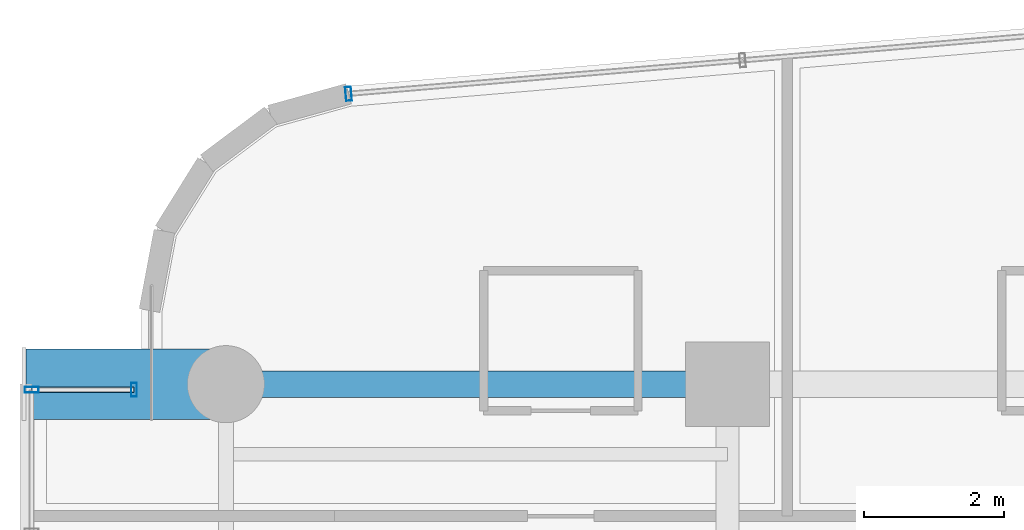
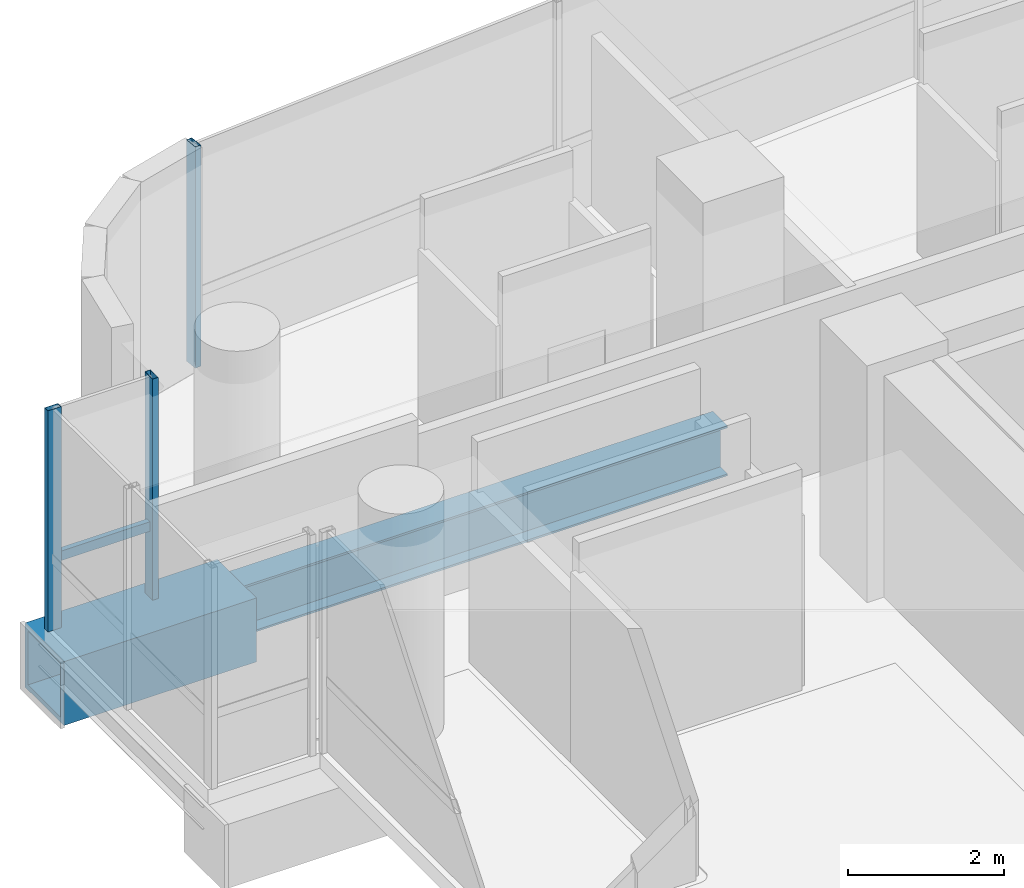
# One storey, part 19 of 35: 4 members, 2 beams, 3 elements without a shape of their own.
"""IFC4 building model written with IfcOpenShell, lengths in metres."""

from ifc_helpers import new_model, si_unit, direction, frame, origin, origin_2d, place, context, subcontext, project, spatial, hollow_rectangle, i_section, extrude, source, transform, mapped, material, material_profile, profile_set, type_object, element, aggregate, save


model = new_model("IFC4")

# Units and contexts
model_context = context("Model", 3, precision=1e-05, world=origin(), true_north=direction((0.0, 1.0)))
body_context = subcontext(model_context, "Body", "Model", "MODEL_VIEW")
ifc_project = project(units=[si_unit("LENGTHUNIT", "METRE"), si_unit("AREAUNIT", "SQUARE_METRE"), si_unit("VOLUMEUNIT", "CUBIC_METRE"), si_unit("PLANEANGLEUNIT", "RADIAN"), si_unit("MASSUNIT", "GRAM", prefix="KILO")], contexts=[model_context])

# Site, building, storey
site_placement = place(None, origin())
site = spatial("IfcSite", under=ifc_project, at=site_placement, CompositionType="ELEMENT")
building_placement = place(site_placement, origin())
building = spatial("IfcBuilding", under=site, at=building_placement, Name="Valdorenza Pilgrim Sanctuary Tower", CompositionType="ELEMENT")
storey_placement = place(building_placement, frame((0.0, 0.0, 116.800048828125)))
storey = spatial("IfcBuildingStorey", under=building, at=storey_placement, Name="L29", CompositionType="ELEMENT", Elevation=116.800048828125)

# Beams
ifc_material_1 = material(Name="Steel ASTM A992 Grade 50", Category="steel")
ifc_material_profile_1 = material_profile(ifc_material_1, i_section(OverallWidth=0.382080078125, OverallDepth=0.779052734375, WebThickness=0.01806640625, FlangeThickness=0.030029296875, at=origin_2d()), Name="W30X191")
ifc_profile_set_1 = profile_set([ifc_material_profile_1], Name="Steel ASTM A992 Grade 50")
beam_type_1 = type_object("IfcBeamType", Name="STR-BM-GRD-W30", PredefinedType="BEAM", material=ifc_profile_set_1)
shared_shape_1 = source(origin(), body_context, "Body", "SweptSolid", [
    extrude(i_section(OverallWidth=0.382080078125, OverallDepth=0.779052734375, WebThickness=0.01806640625, FlangeThickness=0.030029296875, at=origin_2d()), origin(), (0.0, 0.0, 1.0), 7.150146484375),
])
beam_1_placement = place(storey_placement, frame((-29.800048828125, 14.800048828125, -0.629638671875), z_axis=(1.0, 0.0, 0.0), x_axis=(0.0, 1.0, 0.0)))
element("IfcBeam", 1, at=beam_1_placement, inside=storey, type_object=beam_type_1, Name="L29 Floor Girder WA-XW-N2", PredefinedType="BEAM", context=body_context, shape_type="MappedRepresentation", body=[
    mapped(shared_shape_1, transform((0.0, 0.0, 0.0), x_axis=(1.0, 0.0, 0.0), y_axis=(0.0, 1.0, 0.0), z_axis=(0.0, 0.0, 1.0), scale=1.0)),
])
ifc_material_2 = material(Name="Steel ASTM A572 Grade 42", Category="steel")
ifc_material_profile_2 = material_profile(ifc_material_2, hollow_rectangle(XDim=1.0, YDim=1.0, WallThickness=0.080078125, at=origin_2d()), Name="BOX 1000x1000x80")
ifc_profile_set_2 = profile_set([ifc_material_profile_2], Name="Steel ASTM A572 Grade 42")
beam_type_2 = type_object("IfcBeamType", Name="STR-BM-PROW-CANT", PredefinedType="BEAM", material=ifc_profile_set_2)
shared_shape_2 = source(origin(), body_context, "Body", "SweptSolid", [
    extrude(hollow_rectangle(XDim=1.0, YDim=1.0, WallThickness=0.080078125, at=origin_2d()), origin(), (0.0, 0.0, 1.0), 2.849853515625),
])
beam_2_placement = place(storey_placement, frame((-29.800048828125, 14.800048828125, -0.739990234375), z_axis=(-1.0, 0.0, 0.0), x_axis=(0.0, -1.0, 0.0)))
element("IfcBeam", 2, at=beam_2_placement, inside=storey, type_object=beam_type_2, Name="L29 Glass Box Cantilever Beam BOX-WA-L29-CT-N", PredefinedType="BEAM", context=body_context, shape_type="MappedRepresentation", body=[
    mapped(shared_shape_2, transform((0.0, 0.0, 0.0), x_axis=(1.0, 0.0, 0.0), y_axis=(0.0, 1.0, 0.0), z_axis=(0.0, 0.0, 1.0), scale=1.0)),
])

# Curtain wall, member
ifc_material_3 = material(Name="Curtain-wall IGU glazing", Category="glass")
curtain_wall_type = type_object("IfcCurtainWallType", Name="CW-SYS-02", PredefinedType="NOTDEFINED", material=ifc_material_3)
curtain_wall_1_placement = place(storey_placement, origin())
curtain_wall_1 = element("IfcCurtainWall", 3, at=curtain_wall_1_placement, inside=storey, type_object=curtain_wall_type, Name="L29 Curtain Wall CW-L29-1-6", PredefinedType="NOTDEFINED")
ifc_material_4 = material(Name="Anodised aluminium AW-6060", Category="aluminium")
ifc_material_profile_3 = material_profile(ifc_material_4, hollow_rectangle(XDim=0.0849609375, YDim=0.199951171875, WallThickness=0.0048828125, at=origin_2d()), Name="ALU-M 200x85x5")
ifc_profile_set_3 = profile_set([ifc_material_profile_3], Name="Anodised aluminium AW-6060")
member_type_1 = type_object("IfcMemberType", Name="CW-MUL-02", PredefinedType="MULLION", material=ifc_profile_set_3)
shared_shape_3 = source(origin(), body_context, "Body", "SweptSolid", [
    extrude(hollow_rectangle(XDim=0.0849609375, YDim=0.199951171875, WallThickness=0.0048828125, at=origin_2d()), origin(), (0.0, 0.0, 1.0), 3.4599609375),
])
member_1_placement = place(storey_placement, frame((-28.051513671875, 18.940185546875, 0.0), z_axis=(0.0, 0.0, 1.0), x_axis=(0.99640764237, 0.084686541006, 0.0)))
member_1 = element("IfcMember", 4, at=member_1_placement, type_object=member_type_1, Name="CW-L29-1-6 Mullion 1", PredefinedType="MULLION", context=body_context, shape_type="MappedRepresentation", body=[
    mapped(shared_shape_3, transform((0.0, 0.0, 0.0), x_axis=(1.0, 0.0, 0.0), y_axis=(0.0, 1.0, 0.0), z_axis=(0.0, 0.0, 1.0), scale=1.0)),
])
aggregate(curtain_wall_1, [member_1])

curtain_wall_2_placement = place(storey_placement, origin())
curtain_wall_2 = element("IfcCurtainWall", 5, at=curtain_wall_2_placement, inside=storey, type_object=curtain_wall_type, Name="L29 Curtain Wall CW-L29-BOX-WA-L29-F", PredefinedType="NOTDEFINED")
member_2_placement = place(storey_placement, frame((-32.570068359375, 14.719970703125, 0.0), z_axis=(0.0, 0.0, 1.0), x_axis=(0.0, 1.0, 0.0)))
member_2 = element("IfcMember", 6, at=member_2_placement, type_object=member_type_1, Name="CW-L29-BOX-WA-L29-F Mullion 3", PredefinedType="MULLION", context=body_context, shape_type="MappedRepresentation", body=[
    mapped(shared_shape_3, transform((0.0, 0.0, 0.0), x_axis=(1.0, 0.0, 0.0), y_axis=(0.0, 1.0, 0.0), z_axis=(0.0, 0.0, 1.0), scale=1.0)),
])
aggregate(curtain_wall_2, [member_2])

# Curtain wall, members
curtain_wall_3_placement = place(storey_placement, origin())
curtain_wall_3 = element("IfcCurtainWall", 7, at=curtain_wall_3_placement, inside=storey, type_object=curtain_wall_type, Name="L29 Curtain Wall CW-L29-BOX-WA-L29-N", PredefinedType="NOTDEFINED")
member_3_placement = place(storey_placement, frame((-31.110107421875, 14.719970703125, 0.0), z_axis=(0.0, 0.0, 1.0), x_axis=(1.0, 0.0, 0.0)))
member_3 = element("IfcMember", 8, at=member_3_placement, type_object=member_type_1, Name="CW-L29-BOX-WA-L29-N Mullion 2", PredefinedType="MULLION", context=body_context, shape_type="MappedRepresentation", body=[
    mapped(shared_shape_3, transform((0.0, 0.0, 0.0), x_axis=(1.0, 0.0, 0.0), y_axis=(0.0, 1.0, 0.0), z_axis=(0.0, 0.0, 1.0), scale=1.0)),
])
ifc_material_profile_4 = material_profile(ifc_material_4, hollow_rectangle(XDim=0.074951171875, YDim=0.14990234375, WallThickness=0.00390625, at=origin_2d()), Name="ALU-T 150x75x4")
ifc_profile_set_4 = profile_set([ifc_material_profile_4], Name="Anodised aluminium AW-6060")
member_type_2 = type_object("IfcMemberType", Name="CW-TRN-02", PredefinedType="USERDEFINED", material=ifc_profile_set_4)
shared_shape_4 = source(origin(), body_context, "Body", "SweptSolid", [
    extrude(hollow_rectangle(XDim=0.074951171875, YDim=0.14990234375, WallThickness=0.00390625, at=origin_2d()), origin(), (0.0, 0.0, 1.0), 1.4599609375),
])
member_4_placement = place(storey_placement, frame((-32.570068359375, 14.719970703125, 1.119873046875), z_axis=(1.0, 0.0, 0.0), x_axis=(0.0, 1.0, 0.0)))
member_4 = element("IfcMember", 9, at=member_4_placement, type_object=member_type_2, Name="CW-L29-BOX-WA-L29-N Transom 1", ObjectType="TRANSOM", PredefinedType="USERDEFINED", context=body_context, shape_type="MappedRepresentation", body=[
    mapped(shared_shape_4, transform((0.0, 0.0, 0.0), x_axis=(1.0, 0.0, 0.0), y_axis=(0.0, 1.0, 0.0), z_axis=(0.0, 0.0, 1.0), scale=1.0)),
])
aggregate(curtain_wall_3, [member_3, member_4])

save(model, "model.ifc")
